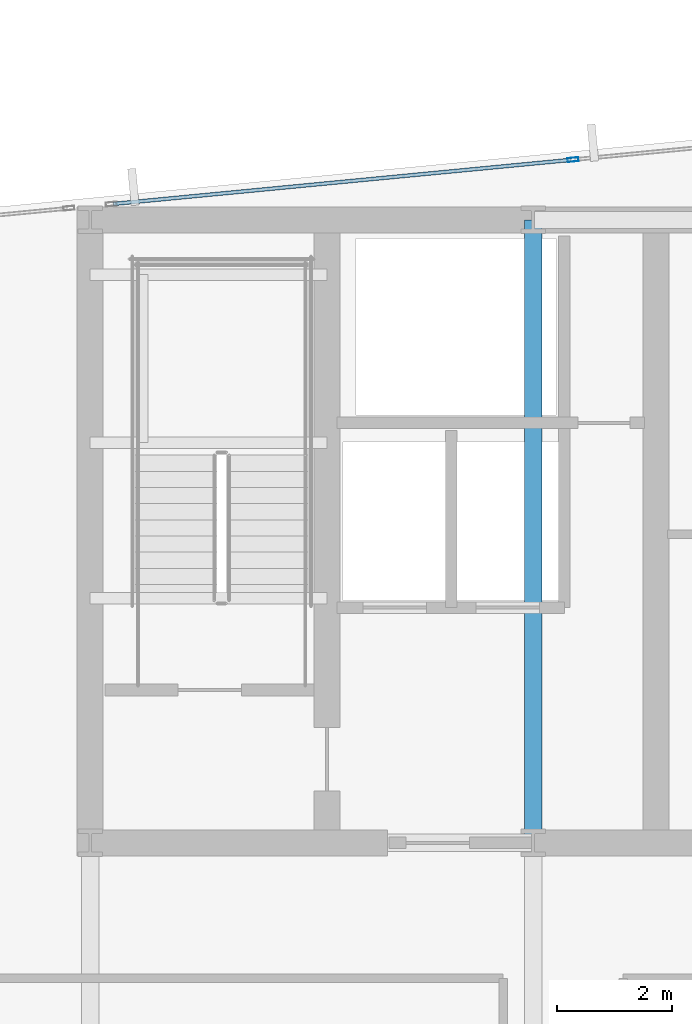
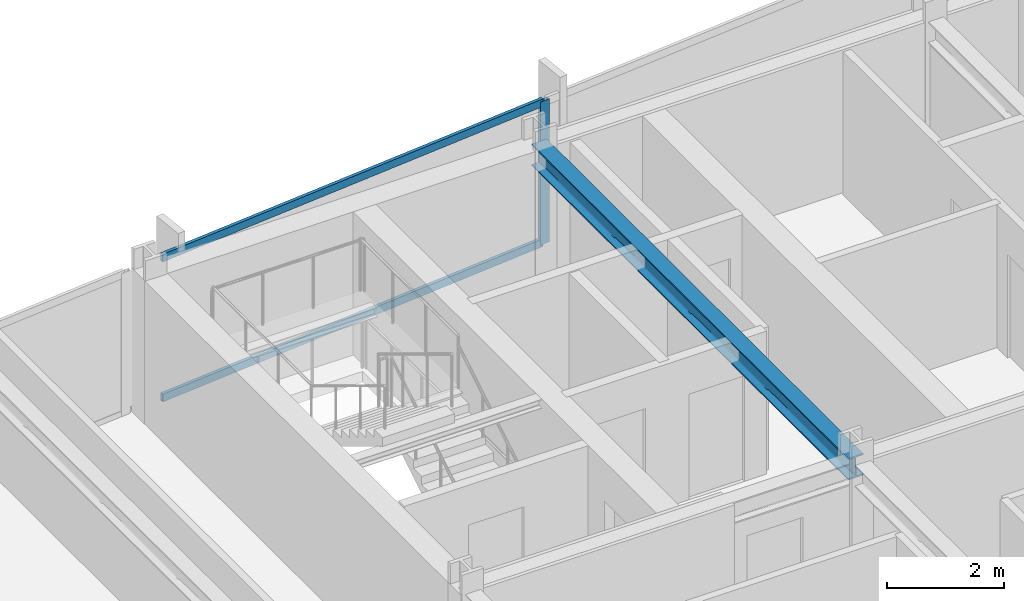
# One storey, part 18 of 32: 3 members, 1 beam, 1 element without a shape of its own.
"""IFC4 building model written with IfcOpenShell, lengths in metres."""

from ifc_helpers import new_model, si_unit, direction, frame, origin, origin_2d, place, context, subcontext, project, spatial, hollow_rectangle, i_section, extrude, material, material_profile, profile_set, type_object, element, aggregate, save


model = new_model("IFC4")

# Units and contexts
model_context = context("Model", 3, precision=1e-05, world=origin(), true_north=direction((0.0, 1.0)))
body_context = subcontext(model_context, "Body", "Model", "MODEL_VIEW")
ifc_project = project(units=[si_unit("LENGTHUNIT", "METRE"), si_unit("AREAUNIT", "SQUARE_METRE"), si_unit("VOLUMEUNIT", "CUBIC_METRE"), si_unit("PLANEANGLEUNIT", "RADIAN"), si_unit("MASSUNIT", "GRAM", prefix="KILO")], contexts=[model_context])

# Site, building, storey
site_placement = place(None, origin())
site = spatial("IfcSite", under=ifc_project, at=site_placement, CompositionType="ELEMENT")
building_placement = place(site_placement, origin())
building = spatial("IfcBuilding", under=site, at=building_placement, Name="Yelkora Congress Tower", CompositionType="ELEMENT")
storey_placement = place(building_placement, frame((0.0, 0.0, 133.89990234375)))
storey = spatial("IfcBuildingStorey", under=building, at=storey_placement, Name="L36", CompositionType="ELEMENT", Elevation=133.89990234375)

# Beam
ifc_material_1 = material(Name="Steel S355J2", Category="steel")
ifc_material_profile_1 = material_profile(ifc_material_1, i_section(OverallWidth=0.300048828125, OverallDepth=0.449951171875, WebThickness=0.013916015625, FlangeThickness=0.02587890625, FilletRadius=0.027099609375, at=origin_2d()), Name="HEB 450")
ifc_profile_set_1 = profile_set([ifc_material_profile_1], Name="Steel S355J2")
beam_type = type_object("IfcBeamType", Name="BM-GIRD-HEB450", PredefinedType="BEAM", material=ifc_profile_set_1)
beam_placement = place(storey_placement, frame((30.719970703125, 35.39990234375, 2.755126953125), z_axis=(0.0, 1.0, 0.0), x_axis=(-1.0, 0.0, 0.0)))
element("IfcBeam", 1, at=beam_placement, inside=storey, type_object=beam_type, Name="L36 Core Tie Girder MC-S2", PredefinedType="BEAM", context=body_context, shape_type="SweptSolid", body=[
    extrude(i_section(OverallWidth=0.300048828125, OverallDepth=0.449951171875, WebThickness=0.013916015625, FlangeThickness=0.02587890625, FilletRadius=0.027099609375, at=origin_2d()), origin(), (0.0, 0.0, 1.0), 10.800048828125),
])

# Curtain wall, members
ifc_material_2 = material(Name="Anodised aluminium and insulated glass", Category="aluminium")
curtain_wall_type = type_object("IfcCurtainWallType", Name="CW-SYS-B2", PredefinedType="NOTDEFINED", material=ifc_material_2)
curtain_wall_placement = place(storey_placement, origin())
curtain_wall = element("IfcCurtainWall", 2, at=curtain_wall_placement, inside=storey, type_object=curtain_wall_type, Name="L36 Unitised Curtain Wall 10 (3)", PredefinedType="NOTDEFINED")
ifc_material_3 = material(Name="Anodised aluminium 6063-T6", Category="aluminium")
ifc_material_profile_2 = material_profile(ifc_material_3, hollow_rectangle(XDim=0.070068359375, YDim=0.18994140625, WallThickness=0.00390625, at=origin_2d()), Name="ALU 70x190x4")
ifc_profile_set_2 = profile_set([ifc_material_profile_2], Name="Anodised aluminium 6063-T6")
member_type_1 = type_object("IfcMemberType", Name="MEM-ML-B2", PredefinedType="MULLION", material=ifc_profile_set_2)
member_1_placement = place(storey_placement, frame((31.411865234375, 47.244140625, 0.0), z_axis=(0.0, 0.0, 1.0), x_axis=(-0.095844238468, 0.995396344153, 0.0)))
member_1 = element("IfcMember", 3, at=member_1_placement, type_object=member_type_1, Name="CW-B2 mullion 2", PredefinedType="MULLION", context=body_context, shape_type="SweptSolid", body=[
    extrude(hollow_rectangle(XDim=0.070068359375, YDim=0.18994140625, WallThickness=0.00390625, at=origin_2d()), origin(), (0.0, 0.0, 1.0), 2.97998046875),
])
ifc_material_profile_3 = material_profile(ifc_material_3, hollow_rectangle(XDim=0.06494140625, YDim=0.159912109375, WallThickness=0.00390625, at=origin_2d()), Name="ALU 65x160x4")
ifc_profile_set_3 = profile_set([ifc_material_profile_3], Name="Anodised aluminium 6063-T6")
member_type_2 = type_object("IfcMemberType", Name="MEM-TR-B2", PredefinedType="USERDEFINED", material=ifc_profile_set_3)
member_2_placement = place(storey_placement, frame((23.441650390625, 46.476806640625, 0.03271484375), z_axis=(0.995398474706, 0.09582210889, 0.0), x_axis=(-0.09582210889, 0.995398474706, 0.0)))
member_2 = element("IfcMember", 4, at=member_2_placement, type_object=member_type_2, Name="CW-B2 transom 1.1", ObjectType="TRANSOM", PredefinedType="USERDEFINED", context=body_context, shape_type="SweptSolid", body=[
    extrude(hollow_rectangle(XDim=0.06494140625, YDim=0.159912109375, WallThickness=0.00390625, at=origin_2d()), origin(), (0.0, 0.0, 1.0), 7.97216796875),
])
member_3_placement = place(storey_placement, frame((23.441650390625, 46.476806640625, 2.947509765625), z_axis=(0.995398474706, 0.09582210889, 0.0), x_axis=(-0.09582210889, 0.995398474706, 0.0)))
member_3 = element("IfcMember", 5, at=member_3_placement, type_object=member_type_2, Name="CW-B2 transom 1.2", ObjectType="TRANSOM", PredefinedType="USERDEFINED", context=body_context, shape_type="SweptSolid", body=[
    extrude(hollow_rectangle(XDim=0.06494140625, YDim=0.159912109375, WallThickness=0.00390625, at=origin_2d()), origin(), (0.0, 0.0, 1.0), 7.97216796875),
])
aggregate(curtain_wall, [member_1, member_2, member_3])

save(model, "model.ifc")
